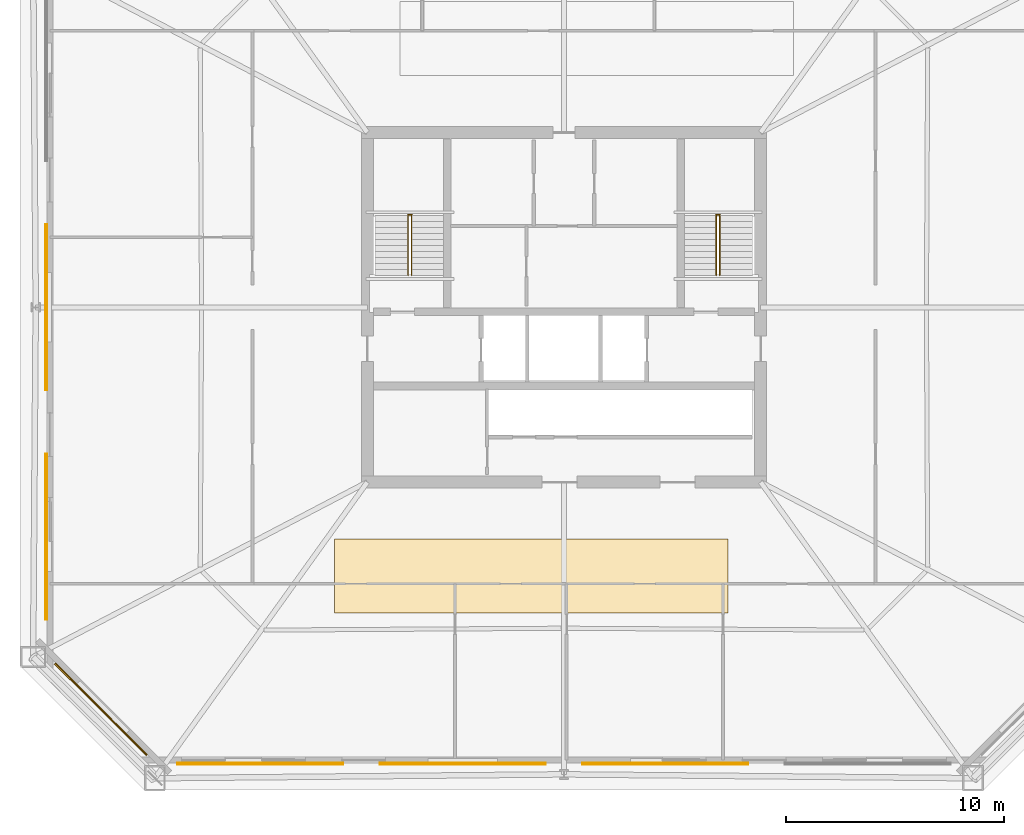
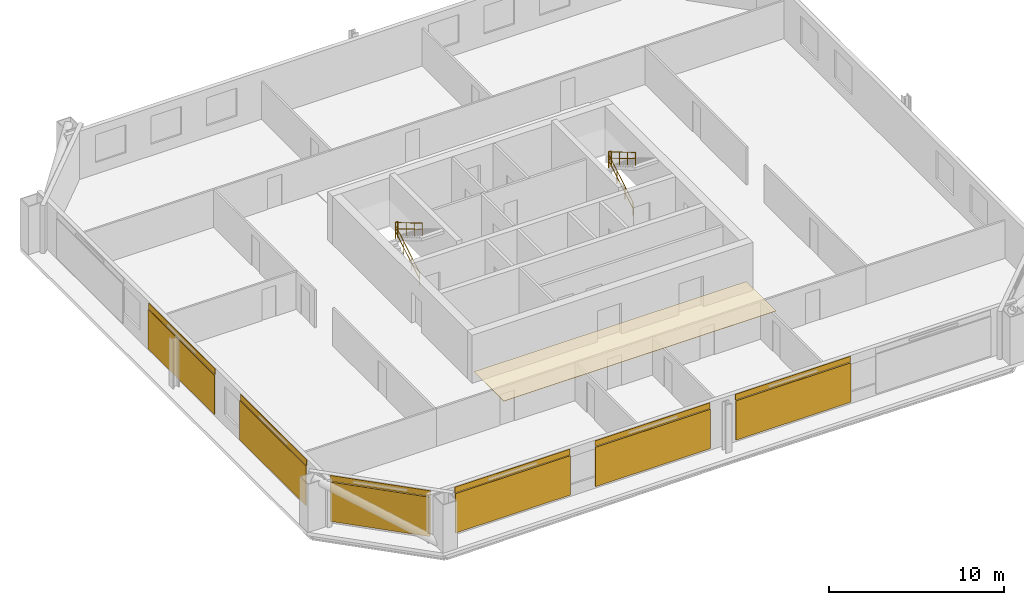
# One storey, part 6 of 7: 7 coverings, 6 railings, 6 shading devices.
"""IFC4 building model written with IfcOpenShell, lengths in metres."""

from ifc_helpers import new_model, si_unit, direction, frame, origin, origin_2d, place, context, subcontext, project, spatial, polyline, rectangle, circle, outline, extrude, material, layer, layer_set, type_object, element, save


model = new_model("IFC4")

# Units and contexts
model_context = context("Model", 3, precision=1e-05, world=origin(), true_north=direction((0.0, 1.0)))
body_context = subcontext(model_context, "Body", "Model", "MODEL_VIEW")
ifc_project = project(units=[si_unit("LENGTHUNIT", "METRE"), si_unit("AREAUNIT", "SQUARE_METRE"), si_unit("VOLUMEUNIT", "CUBIC_METRE"), si_unit("PLANEANGLEUNIT", "RADIAN"), si_unit("MASSUNIT", "GRAM", prefix="KILO")], contexts=[model_context])

# Site, building, storey
site_placement = place(None, origin())
site = spatial("IfcSite", under=ifc_project, at=site_placement, CompositionType="ELEMENT")
building_placement = place(site_placement, origin())
building = spatial("IfcBuilding", under=site, at=building_placement, Name="Caelvoria Tower", CompositionType="ELEMENT")
storey_placement = place(building_placement, frame((0.0, 0.0, 98.800048828125)))
storey = spatial("IfcBuildingStorey", under=building, at=storey_placement, Name="L25", CompositionType="ELEMENT", Elevation=98.800048828125)

# Coverings
ifc_material_1 = material(Name="Acoustic Mineral Fibre Tile", Category="gypsum")
ifc_layer_1 = layer(ifc_material_1, 0.02490234375, Name="Acoustic Mineral Fibre Tile")
ifc_layer_set_1 = layer_set([ifc_layer_1], Name="Mineral-Fibre Acoustic Suspended Ceiling 25 - Acoustic Mineral Fibre Tile")
covering_type_1 = type_object("IfcCoveringType", Name="Mineral-Fibre Acoustic Suspended Ceiling 25", PredefinedType="CEILING", material=ifc_layer_set_1)
covering_1_placement = place(storey_placement, frame((0.0, 0.0, 2.635009765625)))
element("IfcCovering", 1, at=covering_1_placement, inside=storey, type_object=covering_type_1, Name="Suspended Acoustic Ceiling L25", PredefinedType="CEILING", context=body_context, shape_type="SweptSolid", body=[
    extrude(outline(polyline([(35.5, 18.0), (53.5, 18.0), (53.5, 21.39990234375), (35.5, 21.39990234375), (35.5, 18.0)])), origin(), (0.0, 0.0, 1.0), 0.02490234375),
])
ifc_material_2 = material(Name="Perforated Architectural Bronze Cladding Screen", Category="bronze")
ifc_layer_2 = layer(ifc_material_2, 0.0400390625, Name="Perforated Architectural Bronze Cladding Screen")
ifc_layer_set_2 = layer_set([ifc_layer_2], Name="Perforated Bronze Louvre Cladding Band 40 - Perforated Architectural Bronze Cladding Screen")
covering_type_2 = type_object("IfcCoveringType", Name="Perforated Bronze Louvre Cladding Band 40", PredefinedType="CLADDING", material=ifc_layer_set_2)
for number, where, z_axis, x_axis, name in (
    (2, (32.094970703125, 11.1279296875, 2.93994140625), (0.0, 0.0, 1.0), (1.0, 0.0, 0.0), "Perforated Bronze Screen Band L25-E0-00"),
    (3, (41.364990234375, 11.1279296875, 2.93994140625), (0.0, 0.0, 1.0), (1.0, 0.0, 0.0), "Perforated Bronze Screen Band L25-E0-01"),
    (4, (50.635009765625, 11.1279296875, 2.93994140625), (0.0, 0.0, 1.0), (1.0, 0.0, 0.0), "Perforated Bronze Screen Band L25-E0-02"),
    (5, (22.327880859375, 32.0, 2.93994140625), (0.0, 0.0, 1.0), (0.0, -1.0, 0.0), "Perforated Bronze Screen Band L25-E6-01"),
    (6, (22.327880859375, 21.506591796875, 2.93994140625), (0.0, 0.0, 1.0), (0.0, -1.0, 0.0), "Perforated Bronze Screen Band L25-E6-02"),
):
    element("IfcCovering", number, at=place(storey_placement, frame(where, z_axis=z_axis, x_axis=x_axis)), inside=storey, type_object=covering_type_2, Name=name, PredefinedType="CLADDING", context=body_context, shape_type="SweptSolid", body=[
        extrude(rectangle(XDim=7.60009765625, YDim=0.0400390625, at=origin_2d()), origin(), (0.0, 0.0, 1.0), 0.39990234375),
    ])
covering_2_placement = place(storey_placement, frame((24.818359375, 13.618408203125, 2.93994140625), z_axis=(0.0, 0.0, 1.0), x_axis=(0.707106781187, -0.707106781187, 0.0)))
element("IfcCovering", 7, at=covering_2_placement, inside=storey, type_object=covering_type_2, Name="Perforated Bronze Screen Band L25-E7-00", PredefinedType="CLADDING", context=body_context, shape_type="SweptSolid", body=[
    extrude(rectangle(XDim=5.93212890625, YDim=0.0400390625, at=origin_2d()), origin(), (0.0, 0.0, 1.0), 0.39990234375),
])

# Shading devices
ifc_material_3 = material(Name="Perforated Architectural Bronze Alloy Panel", Category="bronze")
ifc_layer_3 = layer(ifc_material_3, 0.044921875, Name="Perforated Architectural Bronze Alloy Panel")
ifc_layer_set_3 = layer_set([ifc_layer_3], Name="Perforated Bronze Solar Screen Panel SCREEN - Perforated Architectural Bronze Alloy Panel")
shading_device_type = type_object("IfcShadingDeviceType", Name="Perforated Bronze Solar Screen Panel SCREEN", PredefinedType="USERDEFINED", material=ifc_layer_set_3)
for number, where, z_axis, x_axis, name in (
    (8, (32.094970703125, 11.0849609375, 0.159912109375), (0.0, 0.0, 1.0), (1.0, 0.0, 0.0), "Perforated Bronze Solar Screen L25-E0-00"),
    (9, (41.364990234375, 11.0849609375, 0.159912109375), (0.0, 0.0, 1.0), (1.0, 0.0, 0.0), "Perforated Bronze Solar Screen L25-E0-01"),
    (10, (50.635009765625, 11.0849609375, 0.159912109375), (0.0, 0.0, 1.0), (1.0, 0.0, 0.0), "Perforated Bronze Solar Screen L25-E0-02"),
    (11, (22.284912109375, 32.0, 0.159912109375), (0.0, 0.0, 1.0), (0.0, -1.0, 0.0), "Perforated Bronze Solar Screen L25-E6-01"),
    (12, (22.284912109375, 21.506591796875, 0.159912109375), (0.0, 0.0, 1.0), (0.0, -1.0, 0.0), "Perforated Bronze Solar Screen L25-E6-02"),
):
    element("IfcShadingDevice", number, at=place(storey_placement, frame(where, z_axis=z_axis, x_axis=x_axis)), inside=storey, type_object=shading_device_type, Name=name, ObjectType="SCREEN", PredefinedType="USERDEFINED", context=body_context, shape_type="SweptSolid", body=[
        extrude(rectangle(XDim=7.60009765625, YDim=0.044921875, at=origin_2d()), origin(), (0.0, 0.0, 1.0), 2.75),
    ])
shading_device_placement = place(storey_placement, frame((24.787841796875, 13.587890625, 0.159912109375), z_axis=(0.0, 0.0, 1.0), x_axis=(0.707106781187, -0.707106781187, 0.0)))
element("IfcShadingDevice", 13, at=shading_device_placement, inside=storey, type_object=shading_device_type, Name="Perforated Bronze Solar Screen L25-E7-00", ObjectType="SCREEN", PredefinedType="USERDEFINED", context=body_context, shape_type="SweptSolid", body=[
    extrude(rectangle(XDim=5.93212890625, YDim=0.044921875, at=origin_2d()), origin(), (0.0, 0.0, 1.0), 2.75),
])

# Railings
ifc_material_4 = material(Name="Brushed Stainless Steel Tube", Category="steel")
railing_type_1 = type_object("IfcRailingType", Name="Stair Tubular Stainless Handrail 920", PredefinedType="HANDRAIL", material=ifc_material_4)
railing_1_placement = place(storey_placement, frame((38.8701171875, 33.449951171875, 0.16357421875)))
element("IfcRailing", 14, at=railing_1_placement, inside=storey, type_object=railing_type_1, Name="ST-01 Flight 1 Handrail L25", PredefinedType="HANDRAIL", context=body_context, shape_type="SweptSolid", body=[
    extrude(circle(Radius=0.02392578125, at=origin_2d()), frame((0.0, 0.0, 0.89599609375), z_axis=(0.0, 0.859351957796, 0.511384603436), x_axis=(-1.0, 0.0, 0.0)), (0.0, 0.0, 1.0), 3.2001953125),
    extrude(circle(Radius=0.02392578125, at=origin_2d()), frame((0.0, 0.0, 0.4599609375), z_axis=(0.0, 0.859351957796, 0.511384603436), x_axis=(-1.0, 0.0, 0.0)), (0.0, 0.0, 1.0), 3.2001953125),
    extrude(circle(Radius=0.02099609375, at=origin_2d()), origin(), (0.0, 0.0, 1.0), 0.871826171875),
    extrude(circle(Radius=0.02099609375, at=origin_2d()), frame((0.0, 0.916748046875, 0.54541015625)), (0.0, 0.0, 1.0), 0.871826171875),
    extrude(circle(Radius=0.02099609375, at=origin_2d()), frame((0.0, 1.833251953125, 1.091064453125)), (0.0, 0.0, 1.0), 0.871826171875),
    extrude(circle(Radius=0.02099609375, at=origin_2d()), frame((0.0, 2.75, 1.636474609375)), (0.0, 0.0, 1.0), 0.871826171875),
])
railing_2_placement = place(storey_placement, frame((39.030029296875, 36.199951171875, 1.963623046875)))
element("IfcRailing", 15, at=railing_2_placement, inside=storey, type_object=railing_type_1, Name="ST-01 Flight 2 Handrail L25", PredefinedType="HANDRAIL", context=body_context, shape_type="SweptSolid", body=[
    extrude(circle(Radius=0.02392578125, at=origin_2d()), frame((0.0, 0.0, 0.89599609375), z_axis=(0.0, -0.859385484447, 0.511328259656), x_axis=(1.0, 0.0, 0.0)), (0.0, 0.0, 1.0), 3.199951171875),
    extrude(circle(Radius=0.02392578125, at=origin_2d()), frame((0.0, 0.0, 0.4599609375), z_axis=(0.0, -0.859385484447, 0.511328259656), x_axis=(1.0, 0.0, 0.0)), (0.0, 0.0, 1.0), 3.199951171875),
    extrude(circle(Radius=0.02099609375, at=origin_2d()), origin(), (0.0, 0.0, 1.0), 0.871826171875),
    extrude(circle(Radius=0.02099609375, at=origin_2d()), frame((0.0, -0.916748046875, 0.54541015625)), (0.0, 0.0, 1.0), 0.871826171875),
    extrude(circle(Radius=0.02099609375, at=origin_2d()), frame((0.0, -1.833251953125, 1.0908203125)), (0.0, 0.0, 1.0), 0.871826171875),
    extrude(circle(Radius=0.02099609375, at=origin_2d()), frame((0.0, -2.75, 1.63623046875)), (0.0, 0.0, 1.0), 0.871826171875),
])
railing_3_placement = place(storey_placement, frame((52.969970703125, 33.449951171875, 0.16357421875)))
element("IfcRailing", 16, at=railing_3_placement, inside=storey, type_object=railing_type_1, Name="ST-02 Flight 1 Handrail L25", PredefinedType="HANDRAIL", context=body_context, shape_type="SweptSolid", body=[
    extrude(circle(Radius=0.02392578125, at=origin_2d()), frame((0.0, 0.0, 0.89599609375), z_axis=(0.0, 0.859351957796, 0.511384603436), x_axis=(-1.0, 0.0, 0.0)), (0.0, 0.0, 1.0), 3.2001953125),
    extrude(circle(Radius=0.02392578125, at=origin_2d()), frame((0.0, 0.0, 0.4599609375), z_axis=(0.0, 0.859351957796, 0.511384603436), x_axis=(-1.0, 0.0, 0.0)), (0.0, 0.0, 1.0), 3.2001953125),
    extrude(circle(Radius=0.02099609375, at=origin_2d()), origin(), (0.0, 0.0, 1.0), 0.871826171875),
    extrude(circle(Radius=0.02099609375, at=origin_2d()), frame((0.0, 0.916748046875, 0.54541015625)), (0.0, 0.0, 1.0), 0.871826171875),
    extrude(circle(Radius=0.02099609375, at=origin_2d()), frame((0.0, 1.833251953125, 1.091064453125)), (0.0, 0.0, 1.0), 0.871826171875),
    extrude(circle(Radius=0.02099609375, at=origin_2d()), frame((0.0, 2.75, 1.636474609375)), (0.0, 0.0, 1.0), 0.871826171875),
])
railing_4_placement = place(storey_placement, frame((53.1298828125, 36.199951171875, 1.963623046875)))
element("IfcRailing", 17, at=railing_4_placement, inside=storey, type_object=railing_type_1, Name="ST-02 Flight 2 Handrail L25", PredefinedType="HANDRAIL", context=body_context, shape_type="SweptSolid", body=[
    extrude(circle(Radius=0.02392578125, at=origin_2d()), frame((0.0, 0.0, 0.89599609375), z_axis=(0.0, -0.859385484447, 0.511328259656), x_axis=(1.0, 0.0, 0.0)), (0.0, 0.0, 1.0), 3.199951171875),
    extrude(circle(Radius=0.02392578125, at=origin_2d()), frame((0.0, 0.0, 0.4599609375), z_axis=(0.0, -0.859385484447, 0.511328259656), x_axis=(1.0, 0.0, 0.0)), (0.0, 0.0, 1.0), 3.199951171875),
    extrude(circle(Radius=0.02099609375, at=origin_2d()), origin(), (0.0, 0.0, 1.0), 0.871826171875),
    extrude(circle(Radius=0.02099609375, at=origin_2d()), frame((0.0, -0.916748046875, 0.54541015625)), (0.0, 0.0, 1.0), 0.871826171875),
    extrude(circle(Radius=0.02099609375, at=origin_2d()), frame((0.0, -1.833251953125, 1.0908203125)), (0.0, 0.0, 1.0), 0.871826171875),
    extrude(circle(Radius=0.02099609375, at=origin_2d()), frame((0.0, -2.75, 1.63623046875)), (0.0, 0.0, 1.0), 0.871826171875),
])
ifc_material_5 = material(Name="Brushed Stainless Steel Guardrail", Category="steel")
railing_type_2 = type_object("IfcRailingType", Name="Stair Well and Ramp Guardrail 1120", PredefinedType="GUARDRAIL", material=ifc_material_5)
for number, where, name in (
    (18, (38.8701171875, 36.239990234375, 1.800048828125), "ST-01 Half-Landing Well Guard L25"),
    (19, (52.969970703125, 36.239990234375, 1.800048828125), "ST-02 Half-Landing Well Guard L25"),
):
    element("IfcRailing", number, at=place(storey_placement, frame(where)), inside=storey, type_object=railing_type_2, Name=name, PredefinedType="GUARDRAIL", context=body_context, shape_type="SweptSolid", body=[
        extrude(circle(Radius=0.02392578125, at=origin_2d()), frame((0.0, 0.0, 1.09619140625), z_axis=(1.0, 0.0, 0.0), x_axis=(0.0, 1.0, 0.0)), (0.0, 0.0, 1.0), 0.159912109375),
        extrude(circle(Radius=0.02392578125, at=origin_2d()), frame((0.0, 0.0, 0.56005859375), z_axis=(1.0, 0.0, 0.0), x_axis=(0.0, 1.0, 0.0)), (0.0, 0.0, 1.0), 0.159912109375),
        extrude(circle(Radius=0.02099609375, at=origin_2d()), origin(), (0.0, 0.0, 1.0), 1.072021484375),
        extrude(circle(Radius=0.02099609375, at=origin_2d()), frame((0.159912109375, 0.0, 0.0)), (0.0, 0.0, 1.0), 1.072021484375),
    ])

save(model, "model.ifc")
